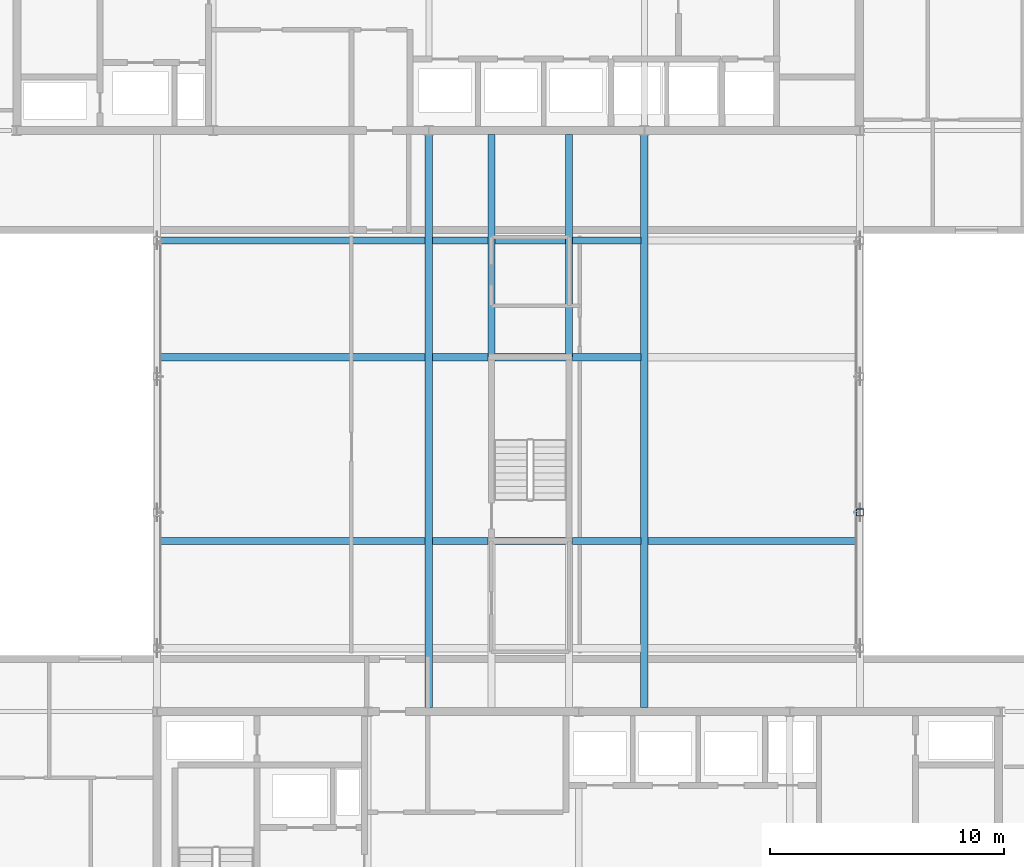
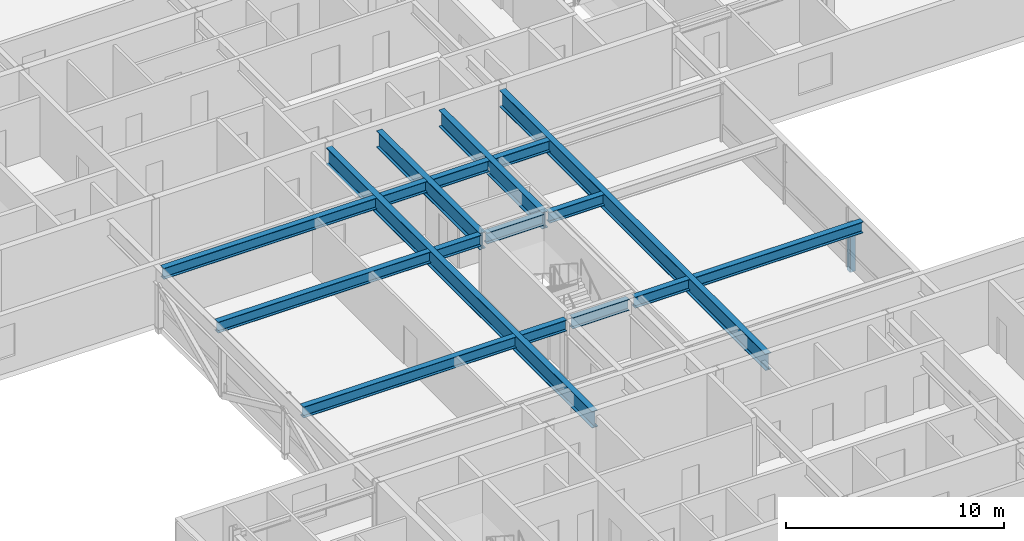
# One storey, part 9 of 36: 17 beams, 1 member.
"""IFC4 building model written with IfcOpenShell, lengths in metres."""

from ifc_helpers import new_model, si_unit, direction, frame, origin, origin_2d, place, context, subcontext, project, spatial, hollow_rectangle, i_section, extrude, material, material_profile, profile_set, type_object, element, save


model = new_model("IFC4")

# Units and contexts
model_context = context("Model", 3, precision=1e-05, world=origin(), true_north=direction((0.0, 1.0)))
body_context = subcontext(model_context, "Body", "Model", "MODEL_VIEW")
ifc_project = project(units=[si_unit("LENGTHUNIT", "METRE"), si_unit("AREAUNIT", "SQUARE_METRE"), si_unit("VOLUMEUNIT", "CUBIC_METRE"), si_unit("PLANEANGLEUNIT", "RADIAN"), si_unit("MASSUNIT", "GRAM", prefix="KILO")], contexts=[model_context])

# Site, building, storey
site_placement = place(None, origin())
site = spatial("IfcSite", under=ifc_project, at=site_placement, CompositionType="ELEMENT")
building_placement = place(site_placement, origin())
building = spatial("IfcBuilding", under=site, at=building_placement, Name="Korimba Cascade Residences", CompositionType="ELEMENT")
storey_placement = place(building_placement, frame((0.0, 0.0, 142.89990234375)))
storey = spatial("IfcBuildingStorey", under=building, at=storey_placement, Name="L41", CompositionType="ELEMENT", Elevation=142.89990234375)

# Beams
ifc_material_1 = material(Name="Steel S355", Category="steel")
ifc_material_profile_1 = material_profile(ifc_material_1, i_section(OverallWidth=0.30712890625, OverallDepth=0.6201171875, WebThickness=0.01416015625, FlangeThickness=0.023681640625, FilletRadius=0.0166015625, at=origin_2d()), Name="Steel S355")
ifc_profile_set_1 = profile_set([ifc_material_profile_1], Name="Steel S355")
beam_type_1 = type_object("IfcBeamType", Name="BM-STL-UB610A", PredefinedType="BEAM", material=ifc_profile_set_1)
beam_1_placement = place(storey_placement, frame((82.251953125, 37.675048828125, 3.0), z_axis=(1.0, 0.0, 0.0), x_axis=(0.0, 1.0, 0.0)))
element("IfcBeam", 1, at=beam_1_placement, inside=storey, type_object=beam_type_1, Name="L41 Mid-Bridge Cross Beam 37.1", PredefinedType="BEAM", context=body_context, shape_type="SweptSolid", body=[
    extrude(i_section(OverallWidth=0.30712890625, OverallDepth=0.6201171875, WebThickness=0.01416015625, FlangeThickness=0.023681640625, FilletRadius=0.0166015625, at=origin_2d()), origin(), (0.0, 0.0, 1.0), 11.296142578125),
])
beam_2_placement = place(storey_placement, frame((93.85205078125, 37.675048828125, 3.0), z_axis=(1.0, 0.0, 0.0), x_axis=(0.0, 1.0, 0.0)))
element("IfcBeam", 2, at=beam_2_placement, inside=storey, type_object=beam_type_1, Name="L41 Mid-Bridge Cross Beam 37.2", PredefinedType="BEAM", context=body_context, shape_type="SweptSolid", body=[
    extrude(i_section(OverallWidth=0.30712890625, OverallDepth=0.6201171875, WebThickness=0.01416015625, FlangeThickness=0.023681640625, FilletRadius=0.0166015625, at=origin_2d()), origin(), (0.0, 0.0, 1.0), 2.370849609375),
])
beam_3_placement = place(storey_placement, frame((96.527099609375, 37.675048828125, 3.0), z_axis=(1.0, 0.0, 0.0), x_axis=(0.0, 1.0, 0.0)))
element("IfcBeam", 3, at=beam_3_placement, inside=storey, type_object=beam_type_1, Name="L41 Mid-Bridge Cross Beam 37.3", PredefinedType="BEAM", context=body_context, shape_type="SweptSolid", body=[
    extrude(i_section(OverallWidth=0.30712890625, OverallDepth=0.6201171875, WebThickness=0.01416015625, FlangeThickness=0.023681640625, FilletRadius=0.0166015625, at=origin_2d()), origin(), (0.0, 0.0, 1.0), 3.005859375),
])
beam_4_placement = place(storey_placement, frame((99.8369140625, 37.675048828125, 3.0), z_axis=(1.0, 0.0, 0.0), x_axis=(0.0, 1.0, 0.0)))
element("IfcBeam", 4, at=beam_4_placement, inside=storey, type_object=beam_type_1, Name="L41 Mid-Bridge Cross Beam 37.4", PredefinedType="BEAM", context=body_context, shape_type="SweptSolid", body=[
    extrude(i_section(OverallWidth=0.30712890625, OverallDepth=0.6201171875, WebThickness=0.01416015625, FlangeThickness=0.023681640625, FilletRadius=0.0166015625, at=origin_2d()), origin(), (0.0, 0.0, 1.0), 2.9111328125),
])
beam_5_placement = place(storey_placement, frame((103.052001953125, 37.675048828125, 3.0), z_axis=(1.0, 0.0, 0.0), x_axis=(0.0, 1.0, 0.0)))
element("IfcBeam", 5, at=beam_5_placement, inside=storey, type_object=beam_type_1, Name="L41 Mid-Bridge Cross Beam 37.5", PredefinedType="BEAM", context=body_context, shape_type="SweptSolid", body=[
    extrude(i_section(OverallWidth=0.30712890625, OverallDepth=0.6201171875, WebThickness=0.01416015625, FlangeThickness=0.023681640625, FilletRadius=0.0166015625, at=origin_2d()), origin(), (0.0, 0.0, 1.0), 8.89599609375),
])
beam_6_placement = place(storey_placement, frame((82.251953125, 45.52490234375, 3.0), z_axis=(1.0, 0.0, 0.0), x_axis=(0.0, 1.0, 0.0)))
element("IfcBeam", 6, at=beam_6_placement, inside=storey, type_object=beam_type_1, Name="L41 Mid-Bridge Cross Beam 45.1", PredefinedType="BEAM", context=body_context, shape_type="SweptSolid", body=[
    extrude(i_section(OverallWidth=0.30712890625, OverallDepth=0.6201171875, WebThickness=0.01416015625, FlangeThickness=0.023681640625, FilletRadius=0.0166015625, at=origin_2d()), origin(), (0.0, 0.0, 1.0), 11.296142578125),
])
beam_7_placement = place(storey_placement, frame((93.85205078125, 45.52490234375, 3.0), z_axis=(1.0, 0.0, 0.0), x_axis=(0.0, 1.0, 0.0)))
element("IfcBeam", 7, at=beam_7_placement, inside=storey, type_object=beam_type_1, Name="L41 Mid-Bridge Cross Beam 45.2", PredefinedType="BEAM", context=body_context, shape_type="SweptSolid", body=[
    extrude(i_section(OverallWidth=0.30712890625, OverallDepth=0.6201171875, WebThickness=0.01416015625, FlangeThickness=0.023681640625, FilletRadius=0.0166015625, at=origin_2d()), origin(), (0.0, 0.0, 1.0), 2.370849609375),
])
beam_8_placement = place(storey_placement, frame((96.527099609375, 45.52490234375, 3.0), z_axis=(1.0, 0.0, 0.0), x_axis=(0.0, 1.0, 0.0)))
element("IfcBeam", 8, at=beam_8_placement, inside=storey, type_object=beam_type_1, Name="L41 Mid-Bridge Cross Beam 45.3", PredefinedType="BEAM", context=body_context, shape_type="SweptSolid", body=[
    extrude(i_section(OverallWidth=0.30712890625, OverallDepth=0.6201171875, WebThickness=0.01416015625, FlangeThickness=0.023681640625, FilletRadius=0.0166015625, at=origin_2d()), origin(), (0.0, 0.0, 1.0), 3.005859375),
])
beam_9_placement = place(storey_placement, frame((99.8369140625, 45.52490234375, 3.0), z_axis=(1.0, 0.0, 0.0), x_axis=(0.0, 1.0, 0.0)))
element("IfcBeam", 9, at=beam_9_placement, inside=storey, type_object=beam_type_1, Name="L41 Mid-Bridge Cross Beam 45.4", PredefinedType="BEAM", context=body_context, shape_type="SweptSolid", body=[
    extrude(i_section(OverallWidth=0.30712890625, OverallDepth=0.6201171875, WebThickness=0.01416015625, FlangeThickness=0.023681640625, FilletRadius=0.0166015625, at=origin_2d()), origin(), (0.0, 0.0, 1.0), 2.9111328125),
])
beam_10_placement = place(storey_placement, frame((82.251953125, 50.5, 3.0), z_axis=(1.0, 0.0, 0.0), x_axis=(0.0, 1.0, 0.0)))
element("IfcBeam", 10, at=beam_10_placement, inside=storey, type_object=beam_type_1, Name="L41 Mid-Bridge Cross Beam 50.1", PredefinedType="BEAM", context=body_context, shape_type="SweptSolid", body=[
    extrude(i_section(OverallWidth=0.30712890625, OverallDepth=0.6201171875, WebThickness=0.01416015625, FlangeThickness=0.023681640625, FilletRadius=0.0166015625, at=origin_2d()), origin(), (0.0, 0.0, 1.0), 11.296142578125),
])
beam_11_placement = place(storey_placement, frame((93.85205078125, 50.5, 3.0), z_axis=(1.0, 0.0, 0.0), x_axis=(0.0, 1.0, 0.0)))
element("IfcBeam", 11, at=beam_11_placement, inside=storey, type_object=beam_type_1, Name="L41 Mid-Bridge Cross Beam 50.2", PredefinedType="BEAM", context=body_context, shape_type="SweptSolid", body=[
    extrude(i_section(OverallWidth=0.30712890625, OverallDepth=0.6201171875, WebThickness=0.01416015625, FlangeThickness=0.023681640625, FilletRadius=0.0166015625, at=origin_2d()), origin(), (0.0, 0.0, 1.0), 2.370849609375),
])
beam_12_placement = place(storey_placement, frame((96.527099609375, 50.5, 3.0), z_axis=(1.0, 0.0, 0.0), x_axis=(0.0, 1.0, 0.0)))
element("IfcBeam", 12, at=beam_12_placement, inside=storey, type_object=beam_type_1, Name="L41 Mid-Bridge Cross Beam 50.3", PredefinedType="BEAM", context=body_context, shape_type="SweptSolid", body=[
    extrude(i_section(OverallWidth=0.30712890625, OverallDepth=0.6201171875, WebThickness=0.01416015625, FlangeThickness=0.023681640625, FilletRadius=0.0166015625, at=origin_2d()), origin(), (0.0, 0.0, 1.0), 3.005859375),
])
beam_13_placement = place(storey_placement, frame((99.8369140625, 50.5, 3.0), z_axis=(1.0, 0.0, 0.0), x_axis=(0.0, 1.0, 0.0)))
element("IfcBeam", 13, at=beam_13_placement, inside=storey, type_object=beam_type_1, Name="L41 Mid-Bridge Cross Beam 50.4", PredefinedType="BEAM", context=body_context, shape_type="SweptSolid", body=[
    extrude(i_section(OverallWidth=0.30712890625, OverallDepth=0.6201171875, WebThickness=0.01416015625, FlangeThickness=0.023681640625, FilletRadius=0.0166015625, at=origin_2d()), origin(), (0.0, 0.0, 1.0), 2.9111328125),
])
ifc_material_2 = material(Name="Steel S460", Category="steel")
ifc_material_profile_2 = material_profile(ifc_material_2, i_section(OverallWidth=0.3076171875, OverallDepth=0.926513671875, WebThickness=0.01953125, FlangeThickness=0.031982421875, FilletRadius=0.01904296875, at=origin_2d()), Name="Steel S460")
ifc_profile_set_2 = profile_set([ifc_material_profile_2], Name="Steel S460")
beam_type_2 = type_object("IfcBeamType", Name="BM-STL-UB914B", PredefinedType="BEAM", material=ifc_profile_set_2)
beam_14_placement = place(storey_placement, frame((93.699951171875, 30.574951171875, 2.8466796875), z_axis=(0.0, 1.0, 0.0), x_axis=(-1.0, 0.0, 0.0)))
element("IfcBeam", 14, at=beam_14_placement, inside=storey, type_object=beam_type_2, Name="L41 Rigid Mid-Bridge Truss Chord 2", PredefinedType="BEAM", context=body_context, shape_type="SweptSolid", body=[
    extrude(i_section(OverallWidth=0.3076171875, OverallDepth=0.926513671875, WebThickness=0.01953125, FlangeThickness=0.031982421875, FilletRadius=0.01904296875, at=origin_2d()), origin(), (0.0, 0.0, 1.0), 24.449951171875),
])
for number, where, z_axis, x_axis, name in (
    (15, (96.375, 45.52490234375, 2.8466796875), (0.0, 1.0, 0.0), (-1.0, 0.0, 0.0), "L41 Rigid Mid-Bridge Truss Chord 3"),
    (16, (99.68505859375, 45.52490234375, 2.8466796875), (0.0, 1.0, 0.0), (-1.0, 0.0, 0.0), "L41 Rigid Mid-Bridge Truss Chord 4"),
):
    element("IfcBeam", number, at=place(storey_placement, frame(where, z_axis=z_axis, x_axis=x_axis)), inside=storey, type_object=beam_type_2, Name=name, PredefinedType="BEAM", context=body_context, shape_type="SweptSolid", body=[
        extrude(i_section(OverallWidth=0.3076171875, OverallDepth=0.926513671875, WebThickness=0.01953125, FlangeThickness=0.031982421875, FilletRadius=0.01904296875, at=origin_2d()), origin(), (0.0, 0.0, 1.0), 9.5),
    ])
beam_15_placement = place(storey_placement, frame((102.89990234375, 30.574951171875, 2.8466796875), z_axis=(0.0, 1.0, 0.0), x_axis=(-1.0, 0.0, 0.0)))
element("IfcBeam", 17, at=beam_15_placement, inside=storey, type_object=beam_type_2, Name="L41 Rigid Mid-Bridge Truss Chord 5", PredefinedType="BEAM", context=body_context, shape_type="SweptSolid", body=[
    extrude(i_section(OverallWidth=0.3076171875, OverallDepth=0.926513671875, WebThickness=0.01953125, FlangeThickness=0.031982421875, FilletRadius=0.01904296875, at=origin_2d()), origin(), (0.0, 0.0, 1.0), 24.449951171875),
])

# Member
ifc_material_profile_3 = material_profile(ifc_material_2, hollow_rectangle(XDim=0.300048828125, YDim=0.300048828125, WallThickness=0.012451171875, InnerFilletRadius=0.012451171875, OuterFilletRadius=0.02490234375, at=origin_2d()), Name="Steel S460")
ifc_profile_set_3 = profile_set([ifc_material_profile_3], Name="Steel S460")
member_type = type_object("IfcMemberType", Name="MEM-BRG-STR300", PredefinedType="STRUT", material=ifc_profile_set_3)
member_placement = place(storey_placement, frame((112.10009765625, 38.89990234375, -0.289794921875), z_axis=(0.0, 0.0, 1.0), x_axis=(1.0, 0.0, 0.0)))
element("IfcMember", 18, at=member_placement, inside=storey, type_object=member_type, Name="L41 Mid-Bridge Warren Web Post E2", PredefinedType="STRUT", context=body_context, shape_type="SweptSolid", body=[
    extrude(hollow_rectangle(XDim=0.300048828125, YDim=0.300048828125, WallThickness=0.012451171875, InnerFilletRadius=0.012451171875, OuterFilletRadius=0.02490234375, at=origin_2d()), origin(), (0.0, 0.0, 1.0), 2.67333984375),
])

save(model, "model.ifc")
